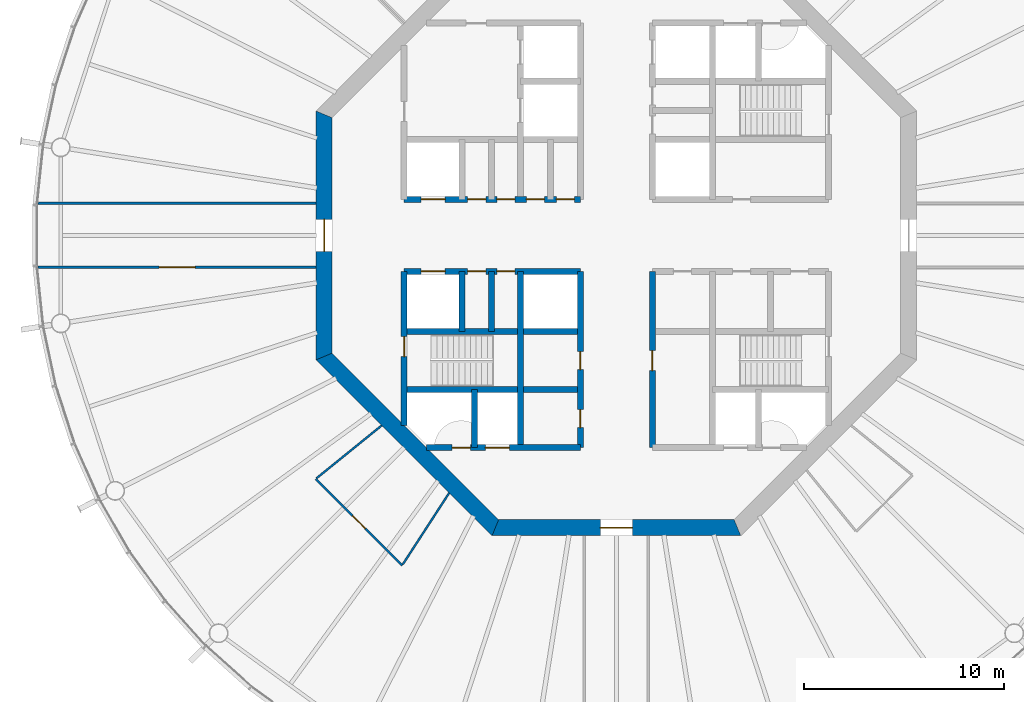
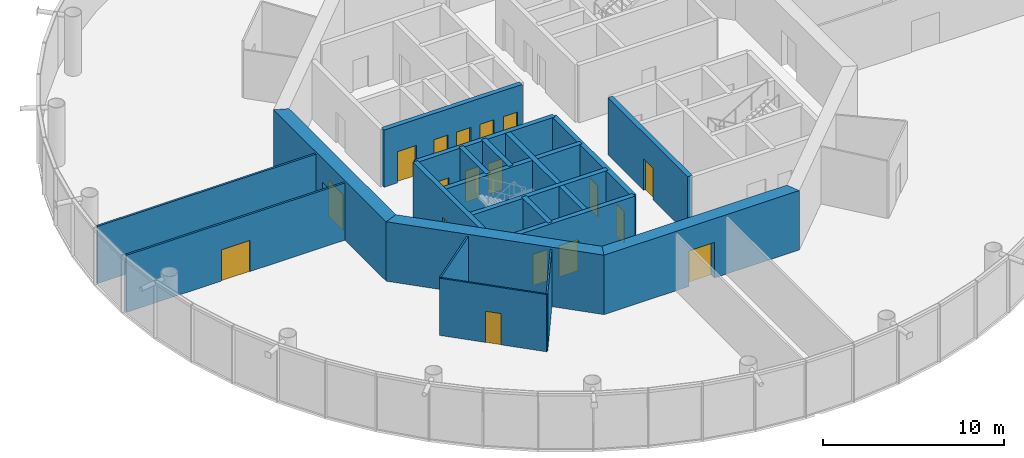
# One storey, part 3 of 16: 20 walls, 18 doors, 18 openings.
"""IFC4 building model written with IfcOpenShell, lengths in metres."""

from ifc_helpers import new_model, si_unit, direction, frame, frame_2d, origin, place, context, subcontext, project, spatial, polyline, rectangle, outline, extrude, material, layer, layer_set, type_object, element, fill, save


model = new_model("IFC4")

# Units and contexts
model_context = context("Model", 3, precision=1e-05, world=origin(), true_north=direction((0.0, 1.0)))
body_context = subcontext(model_context, "Body", "Model", "MODEL_VIEW")
ifc_project = project(units=[si_unit("LENGTHUNIT", "METRE"), si_unit("AREAUNIT", "SQUARE_METRE"), si_unit("VOLUMEUNIT", "CUBIC_METRE"), si_unit("PLANEANGLEUNIT", "RADIAN"), si_unit("MASSUNIT", "GRAM", prefix="KILO")], contexts=[model_context])

# Site, building, storey
site_placement = place(None, origin())
site = spatial("IfcSite", under=ifc_project, at=site_placement, CompositionType="ELEMENT")
building_placement = place(site_placement, origin())
building = spatial("IfcBuilding", under=site, at=building_placement, Name="Entoto Ring Tower", CompositionType="ELEMENT")
storey_placement = place(building_placement, frame((0.0, 0.0, 326.0)))
storey = spatial("IfcBuildingStorey", under=building, at=storey_placement, Name="L75", CompositionType="ELEMENT", Elevation=326.0)

# Wall, opening, door
ifc_material_1 = material(Name="Concrete C40/50", Category="concrete")
ifc_layer_1 = layer(ifc_material_1, 0.300048828125)
ifc_layer_set_1 = layer_set([ifc_layer_1], Name="Concrete C40/50")
wall_type_1 = type_object("IfcWallType", Name="Core enclosure wall 300 mm reinforced concrete", PredefinedType="SOLIDWALL", material=ifc_layer_set_1)
wall_1_placement = place(storey_placement, frame((91.800048828125, 69.39990234375, 0.0), z_axis=(0.0, 0.0, 1.0), x_axis=(0.0, 1.0, 0.0)))
wall_1 = element("IfcWall", 1, at=wall_1_placement, inside=storey, type_object=wall_type_1, Name="wall-L75-008", PredefinedType="SOLIDWALL", context=body_context, shape_type="SweptSolid", body=[
    extrude(rectangle(XDim=8.800048828125, YDim=0.300048828125, at=frame_2d((4.39990234375, 0.0))), origin(), (0.0, 0.0, 1.0), 3.85009765625),
])
opening_1_placement = place(wall_1_placement, frame((3.85009765625, 0.0, 0.0)))
opening_1 = element("IfcOpeningElement", 2, at=opening_1_placement, cuts=wall_1, Name="Opening K-64", PredefinedType="OPENING", context=body_context, shape_type="SweptSolid", body=[
    extrude(rectangle(XDim=1.0, YDim=2.10009765625, at=frame_2d((0.5, 1.050048828125))), frame((0.0, 0.16015625, 0.0), z_axis=(0.0, -1.0, 0.0), x_axis=(1.0, 0.0, 0.0)), (0.0, 0.0, 1.0), 0.320068359375),
])
ifc_material_2 = material(Name="Steel door leaf, fire rated", Category="steel")
ifc_layer_2 = layer(ifc_material_2, 0.050048828125)
ifc_layer_set_2 = layer_set([ifc_layer_2], Name="Steel door leaf, fire rated")
door_type_1 = type_object("IfcDoorType", Name="Accessible door 1000 x 2100 single leaf", OperationType="NOTDEFINED", PredefinedType="DOOR", material=ifc_layer_set_2)
door_1_placement = place(opening_1_placement, frame((1.0, 0.0, 0.0), z_axis=(0.0, 0.0, 1.0), x_axis=(-1.0, 0.0, 0.0)))
door_1 = element("IfcDoor", 3, at=door_1_placement, inside=storey, type_object=door_type_1, Name="Door K-64", OperationType="SINGLE_SWING_LEFT", OverallHeight=2.10009765625, OverallWidth=1.0, PredefinedType="DOOR", context=body_context, shape_type="SweptSolid", body=[
    extrude(rectangle(XDim=1.0, YDim=2.10009765625, at=frame_2d((0.5, 1.050048828125))), frame((0.0, 0.02490234375, 0.0), z_axis=(0.0, -1.0, 0.0), x_axis=(1.0, 0.0, 0.0)), (0.0, 0.0, 1.0), 0.050048828125),
])
fill(opening_1, door_1)

# Wall, openings, doors
wall_2_placement = place(storey_placement, frame((88.199951171875, 69.39990234375, 0.0), z_axis=(0.0, 0.0, 1.0), x_axis=(0.0, 1.0, 0.0)))
wall_2 = element("IfcWall", 4, at=wall_2_placement, inside=storey, type_object=wall_type_1, Name="wall-L75-010", PredefinedType="SOLIDWALL", context=body_context, shape_type="SweptSolid", body=[
    extrude(rectangle(XDim=8.800048828125, YDim=0.300048828125, at=frame_2d((4.39990234375, 0.0))), origin(), (0.0, 0.0, 1.0), 3.85009765625),
])
opening_2_placement = place(wall_2_placement, frame((3.89990234375, 0.0, 0.0)))
opening_2 = element("IfcOpeningElement", 5, at=opening_2_placement, cuts=wall_2, Name="Opening K-21", PredefinedType="OPENING", context=body_context, shape_type="SweptSolid", body=[
    extrude(rectangle(XDim=0.89990234375, YDim=2.10009765625, at=frame_2d((0.449951171875, 1.050048828125))), frame((0.0, 0.16015625, 0.0), z_axis=(0.0, -1.0, 0.0), x_axis=(1.0, 0.0, 0.0)), (0.0, 0.0, 1.0), 0.320068359375),
])
opening_3_placement = place(wall_2_placement, frame((1.0, 0.0, 0.0)))
opening_3 = element("IfcOpeningElement", 6, at=opening_3_placement, cuts=wall_2, Name="Opening K-69", PredefinedType="OPENING", context=body_context, shape_type="SweptSolid", body=[
    extrude(rectangle(XDim=0.89990234375, YDim=2.10009765625, at=frame_2d((0.449951171875, 1.050048828125))), frame((0.0, 0.16015625, 0.0), z_axis=(0.0, -1.0, 0.0), x_axis=(1.0, 0.0, 0.0)), (0.0, 0.0, 1.0), 0.320068359375),
])
ifc_material_3 = material(Name="Steel door leaf, fire rated", Category="steel")
ifc_layer_3 = layer(ifc_material_3, 0.050048828125)
ifc_layer_set_3 = layer_set([ifc_layer_3], Name="Steel door leaf, fire rated")
door_type_2 = type_object("IfcDoorType", Name="Core door 900 x 2100 single leaf", OperationType="NOTDEFINED", PredefinedType="DOOR", material=ifc_layer_set_3)
door_2_placement = place(opening_2_placement, origin())
door_2 = element("IfcDoor", 7, at=door_2_placement, inside=storey, type_object=door_type_2, Name="Door K-21", OperationType="SINGLE_SWING_RIGHT", OverallHeight=2.10009765625, OverallWidth=0.89990234375, PredefinedType="DOOR", context=body_context, shape_type="SweptSolid", body=[
    extrude(rectangle(XDim=0.89990234375, YDim=2.10009765625, at=frame_2d((0.449951171875, 1.050048828125))), frame((0.0, 0.02490234375, 0.0), z_axis=(0.0, -1.0, 0.0), x_axis=(1.0, 0.0, 0.0)), (0.0, 0.0, 1.0), 0.050048828125),
])
fill(opening_2, door_2)
door_3_placement = place(opening_3_placement, origin())
door_3 = element("IfcDoor", 8, at=door_3_placement, inside=storey, type_object=door_type_2, Name="Door K-69", OperationType="SINGLE_SWING_RIGHT", OverallHeight=2.10009765625, OverallWidth=0.89990234375, PredefinedType="DOOR", context=body_context, shape_type="SweptSolid", body=[
    extrude(rectangle(XDim=0.89990234375, YDim=2.10009765625, at=frame_2d((0.449951171875, 1.050048828125))), frame((0.0, 0.02490234375, 0.0), z_axis=(0.0, -1.0, 0.0), x_axis=(1.0, 0.0, 0.0)), (0.0, 0.0, 1.0), 0.050048828125),
])
fill(opening_3, door_3)

# Walls
wall_3_placement = place(storey_placement, frame((85.199951171875, 69.39990234375, 0.0), z_axis=(0.0, 0.0, 1.0), x_axis=(0.0, 1.0, 0.0)))
element("IfcWall", 9, at=wall_3_placement, inside=storey, type_object=wall_type_1, Name="wall-L75-013", PredefinedType="SOLIDWALL", context=body_context, shape_type="SweptSolid", body=[
    extrude(rectangle(XDim=8.800048828125, YDim=0.300048828125, at=frame_2d((4.39990234375, 0.0))), origin(), (0.0, 0.0, 1.0), 3.85009765625),
])
wall_4_placement = place(storey_placement, frame((83.75, 75.199951171875, 0.0), z_axis=(0.0, 0.0, 1.0), x_axis=(0.0, 1.0, 0.0)))
element("IfcWall", 10, at=wall_4_placement, inside=storey, type_object=wall_type_1, Name="wall-L75-015", PredefinedType="SOLIDWALL", context=body_context, shape_type="SweptSolid", body=[
    extrude(rectangle(XDim=3.0, YDim=0.300048828125, at=frame_2d((1.5, 0.0))), origin(), (0.0, 0.0, 1.0), 3.85009765625),
])
wall_5_placement = place(storey_placement, frame((82.89990234375, 69.39990234375, 0.0), z_axis=(0.0, 0.0, 1.0), x_axis=(0.0, 1.0, 0.0)))
element("IfcWall", 11, at=wall_5_placement, inside=storey, type_object=wall_type_1, Name="wall-L75-017", PredefinedType="SOLIDWALL", context=body_context, shape_type="SweptSolid", body=[
    extrude(rectangle(XDim=2.900146484375, YDim=0.300048828125, at=frame_2d((1.4501953125, 0.0))), origin(), (0.0, 0.0, 1.0), 3.85009765625),
])
wall_6_placement = place(storey_placement, frame((82.300048828125, 75.199951171875, 0.0), z_axis=(0.0, 0.0, 1.0), x_axis=(0.0, 1.0, 0.0)))
element("IfcWall", 12, at=wall_6_placement, inside=storey, type_object=wall_type_1, Name="wall-L75-018", PredefinedType="SOLIDWALL", context=body_context, shape_type="SweptSolid", body=[
    extrude(rectangle(XDim=3.0, YDim=0.300048828125, at=frame_2d((1.5, 0.0))), origin(), (0.0, 0.0, 1.0), 3.85009765625),
])

# Wall, opening, door
wall_7_placement = place(storey_placement, frame((79.39990234375, 70.518310546875, 0.0), z_axis=(0.0, 0.0, 1.0), x_axis=(0.0, 1.0, 0.0)))
wall_7 = element("IfcWall", 13, at=wall_7_placement, inside=storey, type_object=wall_type_1, Name="wall-L75-020", PredefinedType="SOLIDWALL", context=body_context, shape_type="SweptSolid", body=[
    extrude(rectangle(XDim=7.681640625, YDim=0.300048828125, at=frame_2d((3.8408203125, 0.0))), origin(), (0.0, 0.0, 1.0), 3.85009765625),
])
opening_4_placement = place(wall_7_placement, frame((3.431884765625, 0.0, 0.0)))
opening_4 = element("IfcOpeningElement", 14, at=opening_4_placement, cuts=wall_7, Name="Opening K-27", PredefinedType="OPENING", context=body_context, shape_type="SweptSolid", body=[
    extrude(rectangle(XDim=1.0, YDim=2.10009765625, at=frame_2d((0.5, 1.050048828125))), frame((0.0, 0.16015625, 0.0), z_axis=(0.0, -1.0, 0.0), x_axis=(1.0, 0.0, 0.0)), (0.0, 0.0, 1.0), 0.320068359375),
])
ifc_material_4 = material(Name="Steel door leaf, fire rated", Category="steel")
ifc_layer_4 = layer(ifc_material_4, 0.050048828125)
ifc_layer_set_4 = layer_set([ifc_layer_4], Name="Steel door leaf, fire rated")
door_type_3 = type_object("IfcDoorType", Name="Fire door FD60 1000 x 2100 single leaf", OperationType="NOTDEFINED", PredefinedType="DOOR", material=ifc_layer_set_4)
door_4_placement = place(opening_4_placement, frame((1.0, 0.0, 0.0), z_axis=(0.0, 0.0, 1.0), x_axis=(-1.0, 0.0, 0.0)))
door_4 = element("IfcDoor", 15, at=door_4_placement, inside=storey, type_object=door_type_3, Name="Door K-27", OperationType="SINGLE_SWING_LEFT", OverallHeight=2.10009765625, OverallWidth=1.0, PredefinedType="DOOR", context=body_context, shape_type="SweptSolid", body=[
    extrude(rectangle(XDim=1.0, YDim=2.10009765625, at=frame_2d((0.5, 1.050048828125))), frame((0.0, 0.02490234375, 0.0), z_axis=(0.0, -1.0, 0.0), x_axis=(1.0, 0.0, 0.0)), (0.0, 0.0, 1.0), 0.050048828125),
])
fill(opening_4, door_4)

# Wall, openings, doors
wall_8_placement = place(storey_placement, frame((80.518310546875, 69.39990234375, 0.0), z_axis=(0.0, 0.0, 1.0), x_axis=(1.0, 0.0, 0.0)))
wall_8 = element("IfcWall", 16, at=wall_8_placement, inside=storey, type_object=wall_type_1, Name="wall-L75-022", PredefinedType="SOLIDWALL", context=body_context, shape_type="SweptSolid", body=[
    extrude(rectangle(XDim=7.681640625, YDim=0.300048828125, at=frame_2d((3.8408203125, 0.0))), origin(), (0.0, 0.0, 1.0), 3.85009765625),
])
opening_5_placement = place(wall_8_placement, frame((2.931884765625, 0.0, 0.0)))
opening_5 = element("IfcOpeningElement", 17, at=opening_5_placement, cuts=wall_8, Name="Opening LD", PredefinedType="OPENING", context=body_context, shape_type="SweptSolid", body=[
    extrude(rectangle(XDim=1.199951171875, YDim=2.10009765625, at=frame_2d((0.60009765625, 1.050048828125))), frame((0.0, 0.16015625, 0.0), z_axis=(0.0, -1.0, 0.0), x_axis=(1.0, 0.0, 0.0)), (0.0, 0.0, 1.0), 0.320068359375),
])
opening_6_placement = place(wall_8_placement, frame((1.28173828125, 0.0, 0.0)))
opening_6 = element("IfcOpeningElement", 18, at=opening_6_placement, cuts=wall_8, Name="Opening K-84", PredefinedType="OPENING", context=body_context, shape_type="SweptSolid", body=[
    extrude(rectangle(XDim=0.89990234375, YDim=2.10009765625, at=frame_2d((0.449951171875, 1.050048828125))), frame((0.0, 0.16015625, 0.0), z_axis=(0.0, -1.0, 0.0), x_axis=(1.0, 0.0, 0.0)), (0.0, 0.0, 1.0), 0.320068359375),
])
ifc_material_5 = material(Name="Steel and glass door leaf", Category="steel")
ifc_layer_5 = layer(ifc_material_5, 0.050048828125)
ifc_layer_set_5 = layer_set([ifc_layer_5], Name="Steel and glass door leaf")
door_type_4 = type_object("IfcDoorType", Name="Landing door 1200 x 2100 sliding", OperationType="DOUBLE_DOOR_SLIDING", PredefinedType="DOOR", material=ifc_layer_set_5)
door_5_placement = place(opening_5_placement, origin())
door_5 = element("IfcDoor", 19, at=door_5_placement, inside=storey, type_object=door_type_4, Name="Landing door LB3-HR", OperationType="SLIDING_TO_RIGHT", OverallHeight=2.10009765625, OverallWidth=1.199951171875, PredefinedType="DOOR", context=body_context, shape_type="SweptSolid", body=[
    extrude(rectangle(XDim=1.199951171875, YDim=2.10009765625, at=frame_2d((0.60009765625, 1.050048828125))), frame((0.0, 0.02490234375, 0.0), z_axis=(0.0, -1.0, 0.0), x_axis=(1.0, 0.0, 0.0)), (0.0, 0.0, 1.0), 0.050048828125),
])
fill(opening_5, door_5)
ifc_material_6 = material(Name="Steel door leaf, fire rated", Category="steel")
ifc_layer_6 = layer(ifc_material_6, 0.050048828125)
ifc_layer_set_6 = layer_set([ifc_layer_6], Name="Steel door leaf, fire rated")
door_type_5 = type_object("IfcDoorType", Name="Riser door FD60 900 x 2100 single leaf", OperationType="NOTDEFINED", PredefinedType="DOOR", material=ifc_layer_set_6)
door_6_placement = place(opening_6_placement, origin())
door_6 = element("IfcDoor", 20, at=door_6_placement, inside=storey, type_object=door_type_5, Name="Door K-84", OperationType="SINGLE_SWING_RIGHT", OverallHeight=2.10009765625, OverallWidth=0.89990234375, PredefinedType="DOOR", context=body_context, shape_type="SweptSolid", body=[
    extrude(rectangle(XDim=0.89990234375, YDim=2.10009765625, at=frame_2d((0.449951171875, 1.050048828125))), frame((0.0, 0.02490234375, 0.0), z_axis=(0.0, -1.0, 0.0), x_axis=(1.0, 0.0, 0.0)), (0.0, 0.0, 1.0), 0.050048828125),
])
fill(opening_6, door_6)

# Walls
for number, where, z_axis, x_axis, name in (
    (21, (79.39990234375, 72.300048828125, 0.0), (0.0, 0.0, 1.0), (1.0, 0.0, 0.0), "wall-L75-024"),
    (22, (79.39990234375, 75.199951171875, 0.0), (0.0, 0.0, 1.0), (1.0, 0.0, 0.0), "wall-L75-026"),
):
    element("IfcWall", number, at=place(storey_placement, frame(where, z_axis=z_axis, x_axis=x_axis)), inside=storey, type_object=wall_type_1, Name=name, PredefinedType="SOLIDWALL", context=body_context, shape_type="SweptSolid", body=[
        extrude(rectangle(XDim=8.800048828125, YDim=0.300048828125, at=frame_2d((4.39990234375, 0.0))), origin(), (0.0, 0.0, 1.0), 3.85009765625),
    ])

# Wall, openings, doors
wall_9_placement = place(storey_placement, frame((79.39990234375, 78.199951171875, 0.0), z_axis=(0.0, 0.0, 1.0), x_axis=(1.0, 0.0, 0.0)))
wall_9 = element("IfcWall", 23, at=wall_9_placement, inside=storey, type_object=wall_type_1, Name="wall-L75-028", PredefinedType="SOLIDWALL", context=body_context, shape_type="SweptSolid", body=[
    extrude(rectangle(XDim=8.800048828125, YDim=0.300048828125, at=frame_2d((4.39990234375, 0.0))), origin(), (0.0, 0.0, 1.0), 3.85009765625),
])
opening_7_placement = place(wall_9_placement, frame((0.85009765625, 0.0, 0.0)))
opening_7 = element("IfcOpeningElement", 24, at=opening_7_placement, cuts=wall_9, Name="Opening LD", PredefinedType="OPENING", context=body_context, shape_type="SweptSolid", body=[
    extrude(rectangle(XDim=1.199951171875, YDim=2.10009765625, at=frame_2d((0.60009765625, 1.050048828125))), frame((0.0, 0.16015625, 0.0), z_axis=(0.0, -1.0, 0.0), x_axis=(1.0, 0.0, 0.0)), (0.0, 0.0, 1.0), 0.320068359375),
])
opening_8_placement = place(wall_9_placement, frame((3.175048828125, 0.0, 0.0)))
opening_8 = element("IfcOpeningElement", 25, at=opening_8_placement, cuts=wall_9, Name="Opening K-16", PredefinedType="OPENING", context=body_context, shape_type="SweptSolid", body=[
    extrude(rectangle(XDim=0.89990234375, YDim=2.10009765625, at=frame_2d((0.449951171875, 1.050048828125))), frame((0.0, 0.16015625, 0.0), z_axis=(0.0, -1.0, 0.0), x_axis=(1.0, 0.0, 0.0)), (0.0, 0.0, 1.0), 0.320068359375),
])
opening_9_placement = place(wall_9_placement, frame((4.625, 0.0, 0.0)))
opening_9 = element("IfcOpeningElement", 26, at=opening_9_placement, cuts=wall_9, Name="Opening K-57", PredefinedType="OPENING", context=body_context, shape_type="SweptSolid", body=[
    extrude(rectangle(XDim=0.89990234375, YDim=2.10009765625, at=frame_2d((0.449951171875, 1.050048828125))), frame((0.0, 0.16015625, 0.0), z_axis=(0.0, -1.0, 0.0), x_axis=(1.0, 0.0, 0.0)), (0.0, 0.0, 1.0), 0.320068359375),
])
door_7_placement = place(opening_8_placement, frame((0.89990234375, 0.0, 0.0), z_axis=(0.0, 0.0, 1.0), x_axis=(-1.0, 0.0, 0.0)))
door_7 = element("IfcDoor", 27, at=door_7_placement, inside=storey, type_object=door_type_2, Name="Door K-16", OperationType="SINGLE_SWING_LEFT", OverallHeight=2.10009765625, OverallWidth=0.89990234375, PredefinedType="DOOR", context=body_context, shape_type="SweptSolid", body=[
    extrude(rectangle(XDim=0.89990234375, YDim=2.10009765625, at=frame_2d((0.449951171875, 1.050048828125))), frame((0.0, 0.02490234375, 0.0), z_axis=(0.0, -1.0, 0.0), x_axis=(1.0, 0.0, 0.0)), (0.0, 0.0, 1.0), 0.050048828125),
])
fill(opening_8, door_7)
door_8_placement = place(opening_9_placement, frame((0.89990234375, 0.0, 0.0), z_axis=(0.0, 0.0, 1.0), x_axis=(-1.0, 0.0, 0.0)))
door_8 = element("IfcDoor", 28, at=door_8_placement, inside=storey, type_object=door_type_2, Name="Door K-57", OperationType="SINGLE_SWING_LEFT", OverallHeight=2.10009765625, OverallWidth=0.89990234375, PredefinedType="DOOR", context=body_context, shape_type="SweptSolid", body=[
    extrude(rectangle(XDim=0.89990234375, YDim=2.10009765625, at=frame_2d((0.449951171875, 1.050048828125))), frame((0.0, 0.02490234375, 0.0), z_axis=(0.0, -1.0, 0.0), x_axis=(1.0, 0.0, 0.0)), (0.0, 0.0, 1.0), 0.050048828125),
])
fill(opening_9, door_8)
door_9_placement = place(opening_7_placement, origin())
door_9 = element("IfcDoor", 29, at=door_9_placement, inside=storey, type_object=door_type_4, Name="Landing door SH2", OperationType="SLIDING_TO_RIGHT", OverallHeight=2.10009765625, OverallWidth=1.199951171875, PredefinedType="DOOR", context=body_context, shape_type="SweptSolid", body=[
    extrude(rectangle(XDim=1.199951171875, YDim=2.10009765625, at=frame_2d((0.60009765625, 1.050048828125))), frame((0.0, 0.02490234375, 0.0), z_axis=(0.0, -1.0, 0.0), x_axis=(1.0, 0.0, 0.0)), (0.0, 0.0, 1.0), 0.050048828125),
])
fill(opening_7, door_9)

wall_10_placement = place(storey_placement, frame((79.39990234375, 81.800048828125, 0.0), z_axis=(0.0, 0.0, 1.0), x_axis=(1.0, 0.0, 0.0)))
wall_10 = element("IfcWall", 30, at=wall_10_placement, inside=storey, type_object=wall_type_1, Name="wall-L75-030", PredefinedType="SOLIDWALL", context=body_context, shape_type="SweptSolid", body=[
    extrude(rectangle(XDim=8.800048828125, YDim=0.300048828125, at=frame_2d((4.39990234375, 0.0))), origin(), (0.0, 0.0, 1.0), 3.85009765625),
])
opening_10_placement = place(wall_10_placement, frame((0.85009765625, 0.0, 0.0)))
opening_10 = element("IfcOpeningElement", 31, at=opening_10_placement, cuts=wall_10, Name="Opening LD", PredefinedType="OPENING", context=body_context, shape_type="SweptSolid", body=[
    extrude(rectangle(XDim=1.199951171875, YDim=2.10009765625, at=frame_2d((0.60009765625, 1.050048828125))), frame((0.0, 0.16015625, 0.0), z_axis=(0.0, -1.0, 0.0), x_axis=(1.0, 0.0, 0.0)), (0.0, 0.0, 1.0), 0.320068359375),
])
opening_11_placement = place(wall_10_placement, frame((3.175048828125, 0.0, 0.0)))
opening_11 = element("IfcOpeningElement", 32, at=opening_11_placement, cuts=wall_10, Name="Opening K-12", PredefinedType="OPENING", context=body_context, shape_type="SweptSolid", body=[
    extrude(rectangle(XDim=0.89990234375, YDim=2.10009765625, at=frame_2d((0.449951171875, 1.050048828125))), frame((0.0, 0.16015625, 0.0), z_axis=(0.0, -1.0, 0.0), x_axis=(1.0, 0.0, 0.0)), (0.0, 0.0, 1.0), 0.320068359375),
])
opening_12_placement = place(wall_10_placement, frame((4.625, 0.0, 0.0)))
opening_12 = element("IfcOpeningElement", 33, at=opening_12_placement, cuts=wall_10, Name="Opening K-46", PredefinedType="OPENING", context=body_context, shape_type="SweptSolid", body=[
    extrude(rectangle(XDim=0.89990234375, YDim=2.10009765625, at=frame_2d((0.449951171875, 1.050048828125))), frame((0.0, 0.16015625, 0.0), z_axis=(0.0, -1.0, 0.0), x_axis=(1.0, 0.0, 0.0)), (0.0, 0.0, 1.0), 0.320068359375),
])
opening_13_placement = place(wall_10_placement, frame((6.10009765625, 0.0, 0.0)))
opening_13 = element("IfcOpeningElement", 34, at=opening_13_placement, cuts=wall_10, Name="Opening K-71", PredefinedType="OPENING", context=body_context, shape_type="SweptSolid", body=[
    extrude(rectangle(XDim=0.89990234375, YDim=2.10009765625, at=frame_2d((0.449951171875, 1.050048828125))), frame((0.0, 0.16015625, 0.0), z_axis=(0.0, -1.0, 0.0), x_axis=(1.0, 0.0, 0.0)), (0.0, 0.0, 1.0), 0.320068359375),
])
opening_14_placement = place(wall_10_placement, frame((7.60009765625, 0.0, 0.0)))
opening_14 = element("IfcOpeningElement", 35, at=opening_14_placement, cuts=wall_10, Name="Opening K-24", PredefinedType="OPENING", context=body_context, shape_type="SweptSolid", body=[
    extrude(rectangle(XDim=0.89990234375, YDim=2.10009765625, at=frame_2d((0.449951171875, 1.050048828125))), frame((0.0, 0.16015625, 0.0), z_axis=(0.0, -1.0, 0.0), x_axis=(1.0, 0.0, 0.0)), (0.0, 0.0, 1.0), 0.320068359375),
])
door_10_placement = place(opening_11_placement, origin())
door_10 = element("IfcDoor", 36, at=door_10_placement, inside=storey, type_object=door_type_2, Name="Door K-12", OperationType="SINGLE_SWING_RIGHT", OverallHeight=2.10009765625, OverallWidth=0.89990234375, PredefinedType="DOOR", context=body_context, shape_type="SweptSolid", body=[
    extrude(rectangle(XDim=0.89990234375, YDim=2.10009765625, at=frame_2d((0.449951171875, 1.050048828125))), frame((0.0, 0.02490234375, 0.0), z_axis=(0.0, -1.0, 0.0), x_axis=(1.0, 0.0, 0.0)), (0.0, 0.0, 1.0), 0.050048828125),
])
fill(opening_11, door_10)
door_11_placement = place(opening_12_placement, origin())
door_11 = element("IfcDoor", 37, at=door_11_placement, inside=storey, type_object=door_type_2, Name="Door K-46", OperationType="SINGLE_SWING_RIGHT", OverallHeight=2.10009765625, OverallWidth=0.89990234375, PredefinedType="DOOR", context=body_context, shape_type="SweptSolid", body=[
    extrude(rectangle(XDim=0.89990234375, YDim=2.10009765625, at=frame_2d((0.449951171875, 1.050048828125))), frame((0.0, 0.02490234375, 0.0), z_axis=(0.0, -1.0, 0.0), x_axis=(1.0, 0.0, 0.0)), (0.0, 0.0, 1.0), 0.050048828125),
])
fill(opening_12, door_11)
door_12_placement = place(opening_13_placement, origin())
door_12 = element("IfcDoor", 38, at=door_12_placement, inside=storey, type_object=door_type_2, Name="Door K-71", OperationType="SINGLE_SWING_LEFT", OverallHeight=2.10009765625, OverallWidth=0.89990234375, PredefinedType="DOOR", context=body_context, shape_type="SweptSolid", body=[
    extrude(rectangle(XDim=0.89990234375, YDim=2.10009765625, at=frame_2d((0.449951171875, 1.050048828125))), frame((0.0, 0.02490234375, 0.0), z_axis=(0.0, -1.0, 0.0), x_axis=(1.0, 0.0, 0.0)), (0.0, 0.0, 1.0), 0.050048828125),
])
fill(opening_13, door_12)
door_13_placement = place(opening_14_placement, origin())
door_13 = element("IfcDoor", 39, at=door_13_placement, inside=storey, type_object=door_type_2, Name="Door K-24", OperationType="SINGLE_SWING_LEFT", OverallHeight=2.10009765625, OverallWidth=0.89990234375, PredefinedType="DOOR", context=body_context, shape_type="SweptSolid", body=[
    extrude(rectangle(XDim=0.89990234375, YDim=2.10009765625, at=frame_2d((0.449951171875, 1.050048828125))), frame((0.0, 0.02490234375, 0.0), z_axis=(0.0, -1.0, 0.0), x_axis=(1.0, 0.0, 0.0)), (0.0, 0.0, 1.0), 0.050048828125),
])
fill(opening_14, door_13)
door_14_placement = place(opening_10_placement, origin())
door_14 = element("IfcDoor", 40, at=door_14_placement, inside=storey, type_object=door_type_4, Name="Landing door SH1", OperationType="SLIDING_TO_RIGHT", OverallHeight=2.10009765625, OverallWidth=1.199951171875, PredefinedType="DOOR", context=body_context, shape_type="SweptSolid", body=[
    extrude(rectangle(XDim=1.199951171875, YDim=2.10009765625, at=frame_2d((0.60009765625, 1.050048828125))), frame((0.0, 0.02490234375, 0.0), z_axis=(0.0, -1.0, 0.0), x_axis=(1.0, 0.0, 0.0)), (0.0, 0.0, 1.0), 0.050048828125),
])
fill(opening_10, door_14)

# Wall, opening, door
ifc_material_7 = material(Name="Concrete C40/50", Category="concrete")
ifc_layer_7 = layer(ifc_material_7, 0.800048828125)
ifc_layer_set_7 = layer_set([ifc_layer_7], Name="Concrete C40/50")
wall_type_2 = type_object("IfcWallType", Name="Core shear wall 800 mm reinforced concrete C40/50", PredefinedType="SHEAR", material=ifc_layer_set_7)
wall_11_placement = place(storey_placement, frame((75.39990234375, 86.047607421875, 0.0), z_axis=(0.0, 0.0, 1.0), x_axis=(0.0, -1.0, 0.0)))
wall_11 = element("IfcWall", 41, at=wall_11_placement, inside=storey, type_object=wall_type_2, Name="wall-L75-core-4", PredefinedType="SHEAR", context=body_context, shape_type="SweptSolid", body=[
    extrude(outline(polyline([(-0.165771484375, -0.39990234375), (12.260986328125, -0.39990234375), (11.929443359375, 0.39990234375), (0.165771484375, 0.39990234375), (-0.165771484375, -0.39990234375)])), origin(), (0.0, 0.0, 1.0), 4.0),
])
opening_15_placement = place(wall_11_placement, frame((5.24755859375, 0.0, 0.0)))
opening_15 = element("IfcOpeningElement", 42, at=opening_15_placement, cuts=wall_11, Name="Opening K-03", PredefinedType="OPENING", context=body_context, shape_type="SweptSolid", body=[
    extrude(rectangle(XDim=1.60009765625, YDim=2.39990234375, at=frame_2d((0.800048828125, 1.199951171875))), frame((0.0, 0.41015625, 0.0), z_axis=(0.0, -1.0, 0.0), x_axis=(1.0, 0.0, 0.0)), (0.0, 0.0, 1.0), 0.820068359375),
])
ifc_material_8 = material(Name="Steel door leaf, fire rated", Category="steel")
ifc_layer_8 = layer(ifc_material_8, 0.050048828125)
ifc_layer_set_8 = layer_set([ifc_layer_8], Name="Steel door leaf, fire rated")
door_type_6 = type_object("IfcDoorType", Name="Entrance door FD60 1600 x 2400 double leaf", OperationType="DOUBLE_DOOR_SINGLE_SWING", PredefinedType="DOOR", material=ifc_layer_set_8)
door_15_placement = place(opening_15_placement, origin())
door_15 = element("IfcDoor", 43, at=door_15_placement, inside=storey, type_object=door_type_6, Name="Entrance door K-03", OperationType="DOUBLE_DOOR_SINGLE_SWING", OverallHeight=2.39990234375, OverallWidth=1.60009765625, PredefinedType="DOOR", context=body_context, shape_type="SweptSolid", body=[
    extrude(rectangle(XDim=1.60009765625, YDim=2.39990234375, at=frame_2d((0.800048828125, 1.199951171875))), frame((0.0, 0.02490234375, 0.0), z_axis=(0.0, -1.0, 0.0), x_axis=(1.0, 0.0, 0.0)), (0.0, 0.0, 1.0), 0.050048828125),
])
fill(opening_15, door_15)

# Wall
wall_12_placement = place(storey_placement, frame((75.39990234375, 73.952392578125, 0.0), z_axis=(0.0, 0.0, 1.0), x_axis=(0.707106781187, -0.707106781187, 0.0)))
element("IfcWall", 44, at=wall_12_placement, inside=storey, type_object=wall_type_2, Name="wall-L75-core-5", PredefinedType="SHEAR", context=body_context, shape_type="SweptSolid", body=[
    extrude(outline(polyline([(-0.165771484375, -0.39990234375), (12.2607421875, -0.39990234375), (11.92919921875, 0.39990234375), (0.165771484375, 0.39990234375), (-0.165771484375, -0.39990234375)])), origin(), (0.0, 0.0, 1.0), 4.0),
])

# Wall, opening, door
wall_13_placement = place(storey_placement, frame((83.952392578125, 65.39990234375, 0.0), z_axis=(0.0, 0.0, 1.0), x_axis=(1.0, 0.0, 0.0)))
wall_13 = element("IfcWall", 45, at=wall_13_placement, inside=storey, type_object=wall_type_2, Name="wall-L75-core-6", PredefinedType="SHEAR", context=body_context, shape_type="SweptSolid", body=[
    extrude(outline(polyline([(-0.165771484375, -0.39990234375), (12.260986328125, -0.39990234375), (11.929443359375, 0.39990234375), (0.165771484375, 0.39990234375), (-0.165771484375, -0.39990234375)])), origin(), (0.0, 0.0, 1.0), 4.0),
])
opening_16_placement = place(wall_13_placement, frame((5.24755859375, 0.0, 0.0)))
opening_16 = element("IfcOpeningElement", 46, at=opening_16_placement, cuts=wall_13, Name="Opening K-04", PredefinedType="OPENING", context=body_context, shape_type="SweptSolid", body=[
    extrude(rectangle(XDim=1.60009765625, YDim=2.39990234375, at=frame_2d((0.800048828125, 1.199951171875))), frame((0.0, 0.41015625, 0.0), z_axis=(0.0, -1.0, 0.0), x_axis=(1.0, 0.0, 0.0)), (0.0, 0.0, 1.0), 0.820068359375),
])
door_16_placement = place(opening_16_placement, origin())
door_16 = element("IfcDoor", 47, at=door_16_placement, inside=storey, type_object=door_type_6, Name="Entrance door K-04", OperationType="DOUBLE_DOOR_SINGLE_SWING", OverallHeight=2.39990234375, OverallWidth=1.60009765625, PredefinedType="DOOR", context=body_context, shape_type="SweptSolid", body=[
    extrude(rectangle(XDim=1.60009765625, YDim=2.39990234375, at=frame_2d((0.800048828125, 1.199951171875))), frame((0.0, 0.02490234375, 0.0), z_axis=(0.0, -1.0, 0.0), x_axis=(1.0, 0.0, 0.0)), (0.0, 0.0, 1.0), 0.050048828125),
])
fill(opening_16, door_16)

ifc_material_9 = material(Name="Fire-resisting plasterboard on steel studs", Category="steel")
ifc_layer_9 = layer(ifc_material_9, 0.125)
ifc_layer_set_9 = layer_set([ifc_layer_9], Name="Fire-resisting plasterboard on steel studs")
wall_type_3 = type_object("IfcWallType", Name="Corridor wall 125 mm one-hour plasterboard on steel studs", PredefinedType="PARTITIONING", material=ifc_layer_set_9)
wall_14_placement = place(storey_placement, frame((61.108642578125, 78.39990234375, 0.0), z_axis=(0.0, 0.0, 1.0), x_axis=(1.0, 0.0, 0.0)))
wall_14 = element("IfcWall", 48, at=wall_14_placement, inside=storey, type_object=wall_type_3, Name="partition-L75-001", PredefinedType="PARTITIONING", context=body_context, shape_type="SweptSolid", body=[
    extrude(rectangle(XDim=13.891357421875, YDim=0.125, at=frame_2d((6.94580078125, 0.0))), origin(), (0.0, 0.0, 1.0), 3.85009765625),
])
opening_17_placement = place(wall_14_placement, frame((6.045654296875, 0.0, 0.0)))
opening_17 = element("IfcOpeningElement", 49, at=opening_17_placement, cuts=wall_14, Name="Opening A32-D05", PredefinedType="OPENING", context=body_context, shape_type="SweptSolid", body=[
    extrude(rectangle(XDim=1.800048828125, YDim=2.10009765625, at=frame_2d((0.89990234375, 1.050048828125))), frame((0.0, 0.072509765625, 0.0), z_axis=(0.0, -1.0, 0.0), x_axis=(1.0, 0.0, 0.0)), (0.0, 0.0, 1.0), 0.14501953125),
])
ifc_material_10 = material(Name="Fire-resisting timber door set", Category="wood")
door_type_7 = type_object("IfcDoorType", Name="Door 1800 x 2100 double leaf FD30S fire door", OperationType="DOUBLE_DOOR_SINGLE_SWING", PredefinedType="DOOR", material=ifc_material_10)
door_17_placement = place(opening_17_placement, frame((1.800048828125, 0.0, 0.0), z_axis=(0.0, 0.0, 1.0), x_axis=(-1.0, 0.0, 0.0)))
door_17 = element("IfcDoor", 50, at=door_17_placement, inside=storey, type_object=door_type_7, Name="Door A32-D05", OperationType="DOUBLE_DOOR_SINGLE_SWING", OverallHeight=2.10009765625, OverallWidth=1.800048828125, PredefinedType="DOOR", context=body_context, shape_type="SweptSolid", body=[
    extrude(rectangle(XDim=1.800048828125, YDim=2.10009765625, at=frame_2d((0.89990234375, 1.050048828125))), frame((0.0, 0.02490234375, 0.0), z_axis=(0.0, -1.0, 0.0), x_axis=(1.0, 0.0, 0.0)), (0.0, 0.0, 1.0), 0.050048828125),
])
fill(opening_17, door_17)

# Wall
wall_15_placement = place(storey_placement, frame((61.108642578125, 81.60009765625, 0.0), z_axis=(0.0, 0.0, 1.0), x_axis=(1.0, 0.0, 0.0)))
element("IfcWall", 51, at=wall_15_placement, inside=storey, type_object=wall_type_3, Name="partition-L75-002", PredefinedType="PARTITIONING", context=body_context, shape_type="SweptSolid", body=[
    extrude(rectangle(XDim=13.891357421875, YDim=0.125, at=frame_2d((6.94580078125, 0.0))), origin(), (0.0, 0.0, 1.0), 3.85009765625),
])

# Wall, opening, door
ifc_material_11 = material(Name="Plasterboard on steel studs", Category="steel")
ifc_layer_10 = layer(ifc_material_11, 0.10009765625)
ifc_layer_set_10 = layer_set([ifc_layer_10], Name="Plasterboard on steel studs")
wall_type_4 = type_object("IfcWallType", Name="Partition 100 mm plasterboard on steel studs", PredefinedType="PARTITIONING", material=ifc_layer_set_10)
wall_16_placement = place(storey_placement, frame((79.298095703125, 63.5205078125, 0.0), z_axis=(0.0, 0.0, 1.0), x_axis=(-0.707086787498, 0.70712677431, 0.0)))
wall_16 = element("IfcWall", 52, at=wall_16_placement, inside=storey, type_object=wall_type_4, Name="partition-L75-009", PredefinedType="PARTITIONING", context=body_context, shape_type="SweptSolid", body=[
    extrude(rectangle(XDim=6.10546875, YDim=0.10009765625, at=frame_2d((3.052734375, 0.0))), origin(), (0.0, 0.0, 1.0), 3.85009765625),
])
opening_18_placement = place(wall_16_placement, frame((2.602783203125, 0.0, 0.0)))
opening_18 = element("IfcOpeningElement", 53, at=opening_18_placement, cuts=wall_16, Name="Opening A32-D06", PredefinedType="OPENING", context=body_context, shape_type="SweptSolid", body=[
    extrude(rectangle(XDim=0.89990234375, YDim=2.10009765625, at=frame_2d((0.449951171875, 1.050048828125))), frame((0.0, 0.06005859375, 0.0), z_axis=(0.0, -1.0, 0.0), x_axis=(1.0, 0.0, 0.0)), (0.0, 0.0, 1.0), 0.1201171875),
])
ifc_material_12 = material(Name="Veneered timber door leaf in timber frame", Category="wood")
door_type_8 = type_object("IfcDoorType", Name="Door 900 x 2100 single leaf timber veneer", OperationType="NOTDEFINED", PredefinedType="DOOR", material=ifc_material_12)
door_18_placement = place(opening_18_placement, frame((0.89990234375, 0.0, 0.0), z_axis=(0.0, 0.0, 1.0), x_axis=(-1.0, 0.0, 0.0)))
door_18 = element("IfcDoor", 54, at=door_18_placement, inside=storey, type_object=door_type_8, Name="Door A32-D06", OperationType="SINGLE_SWING_RIGHT", OverallHeight=2.10009765625, OverallWidth=0.89990234375, PredefinedType="DOOR", context=body_context, shape_type="SweptSolid", body=[
    extrude(rectangle(XDim=0.89990234375, YDim=2.10009765625, at=frame_2d((0.449951171875, 1.050048828125))), frame((0.0, 0.02490234375, 0.0), z_axis=(0.0, -1.0, 0.0), x_axis=(1.0, 0.0, 0.0)), (0.0, 0.0, 1.0), 0.050048828125),
])
fill(opening_18, door_18)

# Walls
wall_17_placement = place(storey_placement, frame((79.331787109375, 63.572265625, 0.0), z_axis=(0.0, 0.0, 1.0), x_axis=(0.54463113971, 0.838675695164, 0.0)))
element("IfcWall", 55, at=wall_17_placement, inside=storey, type_object=wall_type_4, Name="partition-L75-013", PredefinedType="PARTITIONING", context=body_context, shape_type="SweptSolid", body=[
    extrude(rectangle(XDim=4.252685546875, YDim=0.10009765625, at=frame_2d((2.12646484375, 0.0))), origin(), (0.0, 0.0, 1.0), 3.85009765625),
])
wall_18_placement = place(storey_placement, frame((75.024169921875, 67.872802734375, 0.0), z_axis=(0.0, 0.0, 1.0), x_axis=(0.777129456997, 0.629340771814, 0.0)))
element("IfcWall", 56, at=wall_18_placement, inside=storey, type_object=wall_type_4, Name="partition-L75-014", PredefinedType="PARTITIONING", context=body_context, shape_type="SweptSolid", body=[
    extrude(rectangle(XDim=4.187744140625, YDim=0.10009765625, at=frame_2d((2.09375, 0.0))), origin(), (0.0, 0.0, 1.0), 3.85009765625),
])

save(model, "model.ifc")
